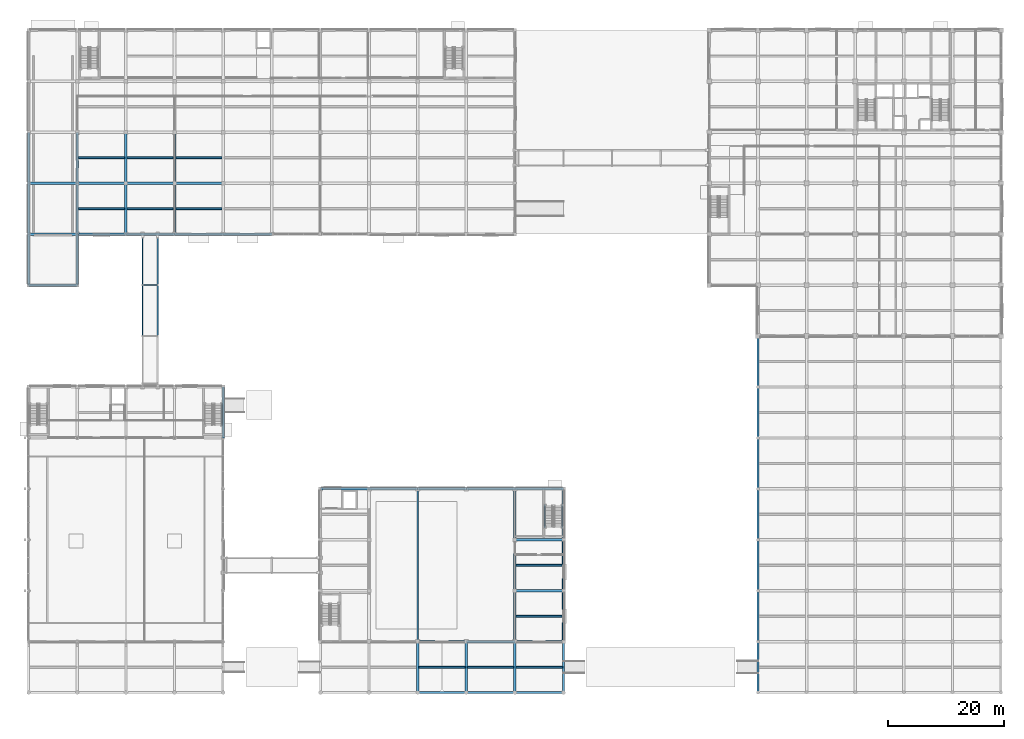
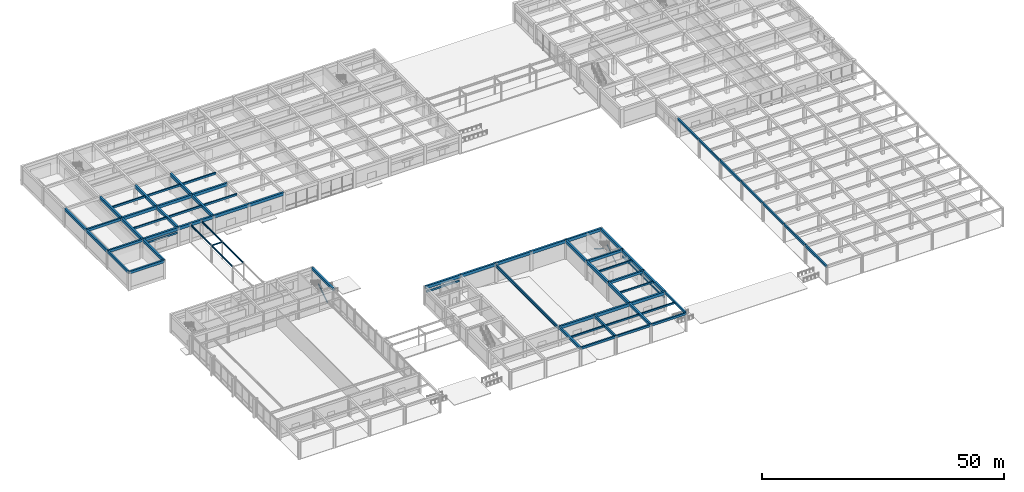
# One storey, part 15 of 58: 72 beams, 3 members.
"""IFC4 building model written with IfcOpenShell, lengths in metres."""

import ifcopenshell
import ifcopenshell.guid

model = None  # the IFC model being written
_history = None  # IfcOwnerHistory: only IFC2X3 demands one
_inside = {}  # id of a spatial element -> (the spatial element, [elements in it])
_under = {}  # id of a project, library or spatial element -> (it, [spatial elements below it])
_declared = {}  # id of a project -> (the project, [libraries it declares])
_typed = {}  # id of a type object -> (the type object, [elements of that type])
_made_of = {}  # id of a material, layer set ... -> (it, [elements and type objects made of it])


def new_model(schema):
    """Start an empty IFC model of exactly this schema.

    Asked for "IFC4X3", IfcOpenShell would pick the latest addendum, in which some entities
    have other attributes; the version numbers below select the first issue.
    IFC2X3 requires an IfcOwnerHistory on every rooted entity: one is made here for all.
    """
    global model, _history
    if schema == "IFC4X3":
        model = ifcopenshell.file(schema_version=(4, 3, 0, 0))
    else:
        model = ifcopenshell.file(schema=schema)
    _inside.clear()
    _under.clear()
    _declared.clear()
    _typed.clear()
    _made_of.clear()
    _history = None
    if model.schema == "IFC2X3":
        org = make("IfcOrganization", Name="unknown")
        user = make(
            "IfcPersonAndOrganization",
            ThePerson=make("IfcPerson", FamilyName="unknown"),
            TheOrganization=org,
        )
        app = make(
            "IfcApplication",
            ApplicationDeveloper=org,
            Version="unknown",
            ApplicationFullName="unknown",
            ApplicationIdentifier="unknown",
        )
        _history = make(
            "IfcOwnerHistory",
            OwningUser=user,
            OwningApplication=app,
            ChangeAction="ADDED",
            CreationDate=0,
        )
    return model


def make(cls, **values):
    """One entity of the class cls with the attributes given. An attribute that is None is left unset."""
    return model.create_entity(
        cls, **{name: value for name, value in values.items() if value is not None}
    )


def rooted(cls, **values):
    """An entity with a GlobalId (a new one), such as an element, a storey or a relation."""
    return make(cls, GlobalId=ifcopenshell.guid.new(), OwnerHistory=_history, **values)


def si_unit(unit_type, name, prefix=None):
    """IfcSIUnit, for example si_unit("LENGTHUNIT", "METRE", prefix="MILLI")."""
    return make("IfcSIUnit", UnitType=unit_type, Prefix=prefix, Name=name)


def assignment(units):
    """IfcUnitAssignment: the units of a project."""
    return None if units is None else make("IfcUnitAssignment", Units=units)


def point(xyz):
    """IfcCartesianPoint."""
    return None if xyz is None else make("IfcCartesianPoint", Coordinates=xyz)


def direction(xyz):
    """IfcDirection."""
    return None if xyz is None else make("IfcDirection", DirectionRatios=xyz)


def frame(location, z_axis=None, x_axis=None):
    """IfcAxis2Placement3D, a coordinate frame: its origin and axes. An axis left out is left unset."""
    return make(
        "IfcAxis2Placement3D",
        Location=point(location),
        Axis=direction(z_axis),
        RefDirection=direction(x_axis),
    )


def frame_2d(location, x_axis=None):
    """IfcAxis2Placement2D, a coordinate frame in the plane: its origin and x axis."""
    return make(
        "IfcAxis2Placement2D", Location=point(location), RefDirection=direction(x_axis)
    )


def origin():
    """The frame at (0, 0, 0) with its axes left unset."""
    return frame((0.0, 0.0, 0.0))


def origin_2d():
    """The frame at (0, 0) in the plane with its x axis left unset."""
    return frame_2d((0.0, 0.0))


def place(relative_to, where):
    """IfcLocalPlacement: puts the frame where relative to a parent placement (None: the world)."""
    return make(
        "IfcLocalPlacement", PlacementRelTo=relative_to, RelativePlacement=where
    )


def context(
    kind, dimensions, precision=None, world=None, true_north=None, identifier=None
):
    """IfcGeometricRepresentationContext, for example the 3D "Model" context."""
    return make(
        "IfcGeometricRepresentationContext",
        ContextIdentifier=identifier,
        ContextType=kind,
        CoordinateSpaceDimension=dimensions,
        Precision=precision,
        WorldCoordinateSystem=world,
        TrueNorth=true_north,
    )


def subcontext(parent, identifier, kind, view, scale=None):
    """IfcGeometricRepresentationSubContext, for example "Body" below "Model"."""
    return make(
        "IfcGeometricRepresentationSubContext",
        ContextIdentifier=identifier,
        ContextType=kind,
        ParentContext=parent,
        TargetScale=scale,
        TargetView=view,
    )


def project(units=None, contexts=None):
    """IfcProject with its units and contexts."""
    return rooted(
        "IfcProject",
        Name="project",
        RepresentationContexts=contexts,
        UnitsInContext=assignment(units),
    )


def spatial(cls, under=None, at=None, **own):
    """A site, building, storey or space (cls), placed at a placement, below another one or the project."""
    s = rooted(cls, ObjectPlacement=at, **own)
    if under is not None:
        _under.setdefault(under.id(), (under, []))[1].append(s)
    return s


def profile(cls, at=None, kind="AREA", **sizes):
    """A parametric profile (cls). Its sizes go by their IFC names, for example OverallWidth=200.0."""
    return make(cls, ProfileType=kind, Position=at, **sizes)


def rectangle(**sizes):
    """IfcRectangleProfileDef."""
    return profile("IfcRectangleProfileDef", **sizes)


def hollow_rectangle(**sizes):
    """IfcRectangleHollowProfileDef."""
    return profile("IfcRectangleHollowProfileDef", **sizes)


def i_section(**sizes):
    """IfcIShapeProfileDef."""
    return profile("IfcIShapeProfileDef", **sizes)


def extrude(swept, where, along, depth):
    """IfcExtrudedAreaSolid: the profile swept, set in the frame where, extruded along a direction by depth."""
    return make(
        "IfcExtrudedAreaSolid",
        SweptArea=swept,
        Position=where,
        ExtrudedDirection=direction(along),
        Depth=depth,
    )


def shape(context_of_items, identifier, shape_type, items):
    """IfcShapeRepresentation: the items that make up one representation, for example the "Body"."""
    return make(
        "IfcShapeRepresentation",
        ContextOfItems=context_of_items,
        RepresentationIdentifier=identifier,
        RepresentationType=shape_type,
        Items=items,
    )


def material(Name=None, Category=None):
    """IfcMaterial."""
    return make("IfcMaterial", Name=Name, Category=Category)


def material_profile(
    of_material, cross_section, Name=None, Category=None, Priority=None
):
    """IfcMaterialProfile: a cross section and its material."""
    return make(
        "IfcMaterialProfile",
        Name=Name,
        Material=of_material,
        Profile=cross_section,
        Priority=Priority,
        Category=Category,
    )


def profile_set(profiles, Name=None, composite=None):
    """IfcMaterialProfileSet."""
    return make(
        "IfcMaterialProfileSet",
        Name=Name,
        MaterialProfiles=profiles,
        CompositeProfile=composite,
    )


def made_of(thing, what):
    """Note that an element or type object is made of a material, layer set ...; save() writes the relation."""
    if what is not None:
        _made_of.setdefault(what.id(), (what, []))[1].append(thing)
    return thing


def type_object(cls, material=None, **own):
    """A type object (cls), such as IfcWallType, which elements share."""
    return made_of(rooted(cls, **own), material)


def element(
    cls,
    number,
    at=None,
    inside=None,
    cuts=None,
    type_object=None,
    material=None,
    context=None,
    identifier="Body",
    shape_type=None,
    held_by="IfcProductDefinitionShape",
    body=None,
    shapes=None,
    **own,
):
    """One element of the class cls, such as IfcWall. Its Tag is "e" and its number.

    at: its placement. inside: the storey or other place that contains it. cuts: it is an
    opening in that element (IfcRelVoidsElement). A single representation is given by context,
    identifier, shape_type and body (its items); several are given by shapes. held_by: the class
    of the entity that holds the representations. save() writes the other relations.
    """
    e = rooted(cls, Tag="e%d" % number, ObjectPlacement=at, **own)
    if body is not None:
        shapes = [shape(context, identifier, shape_type, body)]
    if shapes is not None:
        e.Representation = make(held_by, Representations=shapes)
    if inside is not None:
        _inside.setdefault(inside.id(), (inside, []))[1].append(e)
    if cuts is not None:
        rooted(
            "IfcRelVoidsElement", RelatingBuildingElement=cuts, RelatedOpeningElement=e
        )
    if type_object is not None:
        _typed.setdefault(type_object.id(), (type_object, []))[1].append(e)
    return made_of(e, material)


def aggregate(whole, parts):
    """IfcRelAggregates: a whole, such as a stair, and the parts it consists of."""
    return rooted("IfcRelAggregates", RelatingObject=whole, RelatedObjects=parts)


def save(model, path):
    """Write the relations noted so far, then the file.

    IfcRelAggregates (storeys below a building ...), IfcRelContainedInSpatialStructure (elements
    in a storey), IfcRelDefinesByType, IfcRelAssociatesMaterial and IfcRelDeclares: one each for
    every whole, place, type object, material and project.
    """
    for whole, parts in _under.values():
        aggregate(whole, parts)
    for where, things in _inside.values():
        rooted(
            "IfcRelContainedInSpatialStructure",
            RelatedElements=things,
            RelatingStructure=where,
        )
    for kind, things in _typed.values():
        rooted("IfcRelDefinesByType", RelatedObjects=things, RelatingType=kind)
    for what, things in _made_of.values():
        rooted("IfcRelAssociatesMaterial", RelatedObjects=things, RelatingMaterial=what)
    for by, libraries in _declared.values():
        rooted("IfcRelDeclares", RelatingContext=by, RelatedDefinitions=libraries)
    model.write(path)


model = new_model("IFC4")

# Units and contexts
model_context = context("Model", 3, precision=1e-05, world=origin(), true_north=direction((0.0, 1.0)))
body_context = subcontext(model_context, "Body", "Model", "MODEL_VIEW")
ifc_project = project(units=[si_unit("LENGTHUNIT", "METRE"), si_unit("AREAUNIT", "SQUARE_METRE"), si_unit("VOLUMEUNIT", "CUBIC_METRE"), si_unit("PLANEANGLEUNIT", "RADIAN"), si_unit("MASSUNIT", "GRAM", prefix="KILO")], contexts=[model_context])

# Site, building, storey
site_placement = place(None, origin())
site = spatial("IfcSite", under=ifc_project, at=site_placement, CompositionType="ELEMENT")
building_placement = place(site_placement, origin())
building = spatial("IfcBuilding", under=site, at=building_placement, Name="Kemercrest Conservatory and Botanical Centre", CompositionType="ELEMENT")
storey_placement = place(building_placement, origin())
storey = spatial("IfcBuildingStorey", under=building, at=storey_placement, Name="L00", CompositionType="ELEMENT", Elevation=0.0)

# Beams
ifc_material_1 = material(Name="Steel CSA G40.21 350W", Category="steel")
ifc_material_profile_1 = material_profile(ifc_material_1, i_section(OverallWidth=0.180908203125, OverallDepth=0.4169921875, WebThickness=0.010986328125, FlangeThickness=0.018310546875, FilletRadius=0.01611328125, at=origin_2d()), Name="W410X85")
ifc_profile_set_1 = profile_set([ifc_material_profile_1], Name="Steel CSA G40.21 350W")
beam_type_1 = type_object("IfcBeamType", Name="BM-LB410", PredefinedType="BEAM", material=ifc_profile_set_1)
for number, where, z_axis, x_axis, name in (
    (1, (27.699951171875, 69.60009765625, 4.37158203125), (0.0, 1.0, 0.0), (-1.0, 0.0, 0.0), "Link bridge girder LB-01 SJ-2"),
    (2, (30.300048828125, 69.60009765625, 4.37158203125), (0.0, 1.0, 0.0), (-1.0, 0.0, 0.0), "Link bridge girder LB-01 SJ-2"),
):
    element("IfcBeam", number, at=place(storey_placement, frame(where, z_axis=z_axis, x_axis=x_axis)), inside=storey, type_object=beam_type_1, Name=name, PredefinedType="BEAM", context=body_context, shape_type="SweptSolid", body=[
        extrude(i_section(OverallWidth=0.180908203125, OverallDepth=0.4169921875, WebThickness=0.010986328125, FlangeThickness=0.018310546875, FilletRadius=0.01611328125, at=origin_2d()), origin(), (0.0, 0.0, 1.0), 8.7998046875),
    ])
for number, where, z_axis, x_axis, name in (
    (3, (27.699951171875, 78.39990234375, 4.37158203125), (0.0, 1.0, 0.0), (-1.0, 0.0, 0.0), "Link bridge girder LB-01 SJ-2"),
    (4, (30.300048828125, 78.39990234375, 4.37158203125), (0.0, 1.0, 0.0), (-1.0, 0.0, 0.0), "Link bridge girder LB-01 SJ-2"),
):
    element("IfcBeam", number, at=place(storey_placement, frame(where, z_axis=z_axis, x_axis=x_axis)), inside=storey, type_object=beam_type_1, Name=name, PredefinedType="BEAM", context=body_context, shape_type="SweptSolid", body=[
        extrude(i_section(OverallWidth=0.180908203125, OverallDepth=0.4169921875, WebThickness=0.010986328125, FlangeThickness=0.018310546875, FilletRadius=0.01611328125, at=origin_2d()), origin(), (0.0, 0.0, 1.0), 8.650146484375),
    ])
ifc_material_2 = material(Name="Concrete C40/50", Category="concrete")
ifc_material_profile_2 = material_profile(ifc_material_2, rectangle(XDim=0.39990234375, YDim=0.64990234375, at=origin_2d()), Name="RC 400x650")
ifc_profile_set_2 = profile_set([ifc_material_profile_2], Name="Concrete C40/50")
beam_type_2 = type_object("IfcBeamType", Name="BM-RC65", PredefinedType="BEAM", material=ifc_profile_set_2)
for number, where, z_axis, x_axis, name in (
    (5, (92.0, 25.60009765625, 4.47509765625), (1.0, 0.0, 0.0), (0.0, 1.0, 0.0), "V2E-L01 beam BM-RC65 C/11-12"),
    (6, (92.0, 34.39990234375, 4.47509765625), (1.0, 0.0, 0.0), (0.0, 1.0, 0.0), "V2E-L01 beam BM-RC65 D/11-12"),
):
    element("IfcBeam", number, at=place(storey_placement, frame(where, z_axis=z_axis, x_axis=x_axis)), inside=storey, type_object=beam_type_2, Name=name, PredefinedType="BEAM", context=body_context, shape_type="SweptSolid", body=[
        extrude(rectangle(XDim=0.39990234375, YDim=0.64990234375, at=origin_2d()), origin(), (0.0, 0.0, 1.0), 8.39990234375),
    ])
for number, where, z_axis, x_axis, name in (
    (7, (75.199951171875, 8.0, 4.47509765625), (0.0, 1.0, 0.0), (-1.0, 0.0, 0.0), "V2COL beam BM-RC65 09/A-B"),
    (8, (83.60009765625, 8.0, 4.47509765625), (0.0, 1.0, 0.0), (-1.0, 0.0, 0.0), "V2COL beam BM-RC65 10/A-B"),
    (9, (92.0, 8.0, 4.47509765625), (0.0, 1.0, 0.0), (-1.0, 0.0, 0.0), "V2COL beam BM-RC65 11/A-B"),
):
    element("IfcBeam", number, at=place(storey_placement, frame(where, z_axis=z_axis, x_axis=x_axis)), inside=storey, type_object=beam_type_2, Name=name, PredefinedType="BEAM", context=body_context, shape_type="SweptSolid", body=[
        extrude(rectangle(XDim=0.39990234375, YDim=0.64990234375, at=origin_2d()), origin(), (0.0, 0.0, 1.0), 8.800048828125),
    ])
for number, where, z_axis, x_axis, name in (
    (10, (8.0, 87.199951171875, 4.47509765625), (1.0, 0.0, 0.0), (0.0, 1.0, 0.0), "V3RAMP beam BM-RC65 K/01-02"),
    (11, (8.0, 96.0, 4.47509765625), (1.0, 0.0, 0.0), (0.0, 1.0, 0.0), "V3RAMP beam BM-RC65 L/01-02"),
):
    element("IfcBeam", number, at=place(storey_placement, frame(where, z_axis=z_axis, x_axis=x_axis)), inside=storey, type_object=beam_type_2, Name=name, PredefinedType="BEAM", context=body_context, shape_type="SweptSolid", body=[
        extrude(rectangle(XDim=0.39990234375, YDim=0.64990234375, at=origin_2d()), origin(), (0.0, 0.0, 1.0), 8.39990234375),
    ])
ifc_material_profile_3 = material_profile(ifc_material_2, rectangle(XDim=0.449951171875, YDim=0.75, at=origin_2d()), Name="RC 450x750")
ifc_profile_set_3 = profile_set([ifc_material_profile_3], Name="Concrete C40/50")
beam_type_3 = type_object("IfcBeamType", Name="BM-RC75", PredefinedType="BEAM", material=ifc_profile_set_3)
beam_1_placement = place(storey_placement, frame((16.39990234375, 96.0, 4.425048828125), z_axis=(1.0, 0.0, 0.0), x_axis=(0.0, 1.0, 0.0)))
element("IfcBeam", 12, at=beam_1_placement, inside=storey, type_object=beam_type_3, Name="V3-L01 beam BM-RC75 L/02-03", PredefinedType="BEAM", context=body_context, shape_type="SweptSolid", body=[
    extrude(rectangle(XDim=0.449951171875, YDim=0.75, at=origin_2d()), origin(), (0.0, 0.0, 1.0), 8.400146484375),
])
beam_2_placement = place(storey_placement, frame((24.800048828125, 96.0, 4.425048828125), z_axis=(1.0, 0.0, 0.0), x_axis=(0.0, 1.0, 0.0)))
element("IfcBeam", 13, at=beam_2_placement, inside=storey, type_object=beam_type_3, Name="V3-L01 beam BM-RC75 L/03-04", PredefinedType="BEAM", context=body_context, shape_type="SweptSolid", body=[
    extrude(rectangle(XDim=0.449951171875, YDim=0.75, at=origin_2d()), origin(), (0.0, 0.0, 1.0), 8.39990234375),
])
beam_3_placement = place(storey_placement, frame((33.199951171875, 96.0, 4.425048828125), z_axis=(1.0, 0.0, 0.0), x_axis=(0.0, 1.0, 0.0)))
element("IfcBeam", 14, at=beam_3_placement, inside=storey, type_object=beam_type_3, Name="V3-L01 beam BM-RC75 L/04-05", PredefinedType="BEAM", context=body_context, shape_type="SweptSolid", body=[
    extrude(rectangle(XDim=0.449951171875, YDim=0.75, at=origin_2d()), origin(), (0.0, 0.0, 1.0), 8.400146484375),
])
for number, where, z_axis, x_axis, name in (
    (15, (24.800048828125, 87.199951171875, 4.425048828125), (0.0, 1.0, 0.0), (-1.0, 0.0, 0.0), "V3-L01 beam BM-RC75 03/K-L"),
    (16, (24.800048828125, 96.0, 4.425048828125), (0.0, 1.0, 0.0), (-1.0, 0.0, 0.0), "V3-L01 beam BM-RC75 03/L-M"),
    (17, (33.199951171875, 87.199951171875, 4.425048828125), (0.0, 1.0, 0.0), (-1.0, 0.0, 0.0), "V3-L01 beam BM-RC75 04/K-L"),
    (18, (33.199951171875, 96.0, 4.425048828125), (0.0, 1.0, 0.0), (-1.0, 0.0, 0.0), "V3-L01 beam BM-RC75 04/L-M"),
):
    element("IfcBeam", number, at=place(storey_placement, frame(where, z_axis=z_axis, x_axis=x_axis)), inside=storey, type_object=beam_type_3, Name=name, PredefinedType="BEAM", context=body_context, shape_type="SweptSolid", body=[
        extrude(rectangle(XDim=0.449951171875, YDim=0.75, at=origin_2d()), origin(), (0.0, 0.0, 1.0), 8.800048828125),
    ])
ifc_material_profile_4 = material_profile(ifc_material_1, i_section(OverallWidth=0.26806640625, OverallDepth=0.77001953125, WebThickness=0.015625, FlangeThickness=0.025390625, FilletRadius=0.02392578125, at=origin_2d()), Name="W760X196")
ifc_profile_set_4 = profile_set([ifc_material_profile_4], Name="Steel CSA G40.21 350W")
beam_type_4 = type_object("IfcBeamType", Name="BM-W760", PredefinedType="BEAM", material=ifc_profile_set_4)
beam_4_placement = place(storey_placement, frame((75.199951171875, 16.800048828125, 4.135009765625), z_axis=(0.0, 1.0, 0.0), x_axis=(-1.0, 0.0, 0.0)))
element("IfcBeam", 19, at=beam_4_placement, inside=storey, type_object=beam_type_4, Name="Auditorium balcony 26.4m clear-span girder", PredefinedType="BEAM", context=body_context, shape_type="SweptSolid", body=[
    extrude(i_section(OverallWidth=0.26806640625, OverallDepth=0.77001953125, WebThickness=0.015625, FlangeThickness=0.025390625, FilletRadius=0.02392578125, at=origin_2d()), origin(), (0.0, 0.0, 1.0), 26.39990234375),
])
ifc_material_profile_5 = material_profile(ifc_material_2, rectangle(XDim=0.300048828125, YDim=0.419921875, at=origin_2d()), Name="RC 300x420")
ifc_profile_set_5 = profile_set([ifc_material_profile_5], Name="Concrete C40/50")
beam_type_5 = type_object("IfcBeamType", Name="JS-RC42", PredefinedType="JOIST", material=ifc_profile_set_5)
for number, where, z_axis, x_axis, name in (
    (20, (92.22509765625, 21.199951171875, 4.590087890625), (1.0, 0.0, 0.0), (0.0, 1.0, 0.0), "V2E-L01 secondary joist JS-RC42"),
    (21, (92.22509765625, 30.0, 4.590087890625), (1.0, 0.0, 0.0), (0.0, 1.0, 0.0), "V2E-L01 secondary joist JS-RC42"),
):
    element("IfcBeam", number, at=place(storey_placement, frame(where, z_axis=z_axis, x_axis=x_axis)), inside=storey, type_object=beam_type_5, Name=name, PredefinedType="JOIST", context=body_context, shape_type="SweptSolid", body=[
        extrude(rectangle(XDim=0.300048828125, YDim=0.419921875, at=origin_2d()), origin(), (0.0, 0.0, 1.0), 7.949951171875),
    ])
for number, where, z_axis, x_axis, name in (
    (22, (75.39990234375, 12.39990234375, 4.590087890625), (1.0, 0.0, 0.0), (0.0, 1.0, 0.0), "V2COL secondary joist JS-RC42"),
    (23, (83.800048828125, 12.39990234375, 4.590087890625), (1.0, 0.0, 0.0), (0.0, 1.0, 0.0), "V2COL secondary joist JS-RC42"),
):
    element("IfcBeam", number, at=place(storey_placement, frame(where, z_axis=z_axis, x_axis=x_axis)), inside=storey, type_object=beam_type_5, Name=name, PredefinedType="JOIST", context=body_context, shape_type="SweptSolid", body=[
        extrude(rectangle(XDim=0.300048828125, YDim=0.419921875, at=origin_2d()), origin(), (0.0, 0.0, 1.0), 8.0),
    ])
beam_5_placement = place(storey_placement, frame((92.199951171875, 12.39990234375, 4.590087890625), z_axis=(1.0, 0.0, 0.0), x_axis=(0.0, 1.0, 0.0)))
element("IfcBeam", 24, at=beam_5_placement, inside=storey, type_object=beam_type_5, Name="V2COL secondary joist JS-RC42", PredefinedType="JOIST", context=body_context, shape_type="SweptSolid", body=[
    extrude(rectangle(XDim=0.300048828125, YDim=0.419921875, at=origin_2d()), origin(), (0.0, 0.0, 1.0), 8.025146484375),
])
ifc_material_profile_6 = material_profile(ifc_material_2, rectangle(XDim=0.300048828125, YDim=0.5, at=origin_2d()), Name="RC 300x500")
ifc_profile_set_6 = profile_set([ifc_material_profile_6], Name="Concrete C40/50")
beam_type_6 = type_object("IfcBeamType", Name="JS-RC50", PredefinedType="JOIST", material=ifc_profile_set_6)
beam_6_placement = place(storey_placement, frame((16.625, 91.60009765625, 4.550048828125), z_axis=(1.0, 0.0, 0.0), x_axis=(0.0, 1.0, 0.0)))
element("IfcBeam", 25, at=beam_6_placement, inside=storey, type_object=beam_type_6, Name="V3-L01 secondary joist JS-RC50", PredefinedType="JOIST", context=body_context, shape_type="SweptSolid", body=[
    extrude(rectangle(XDim=0.300048828125, YDim=0.5, at=origin_2d()), origin(), (0.0, 0.0, 1.0), 7.949951171875),
])
beam_7_placement = place(storey_placement, frame((25.02490234375, 91.60009765625, 4.550048828125), z_axis=(1.0, 0.0, 0.0), x_axis=(0.0, 1.0, 0.0)))
element("IfcBeam", 26, at=beam_7_placement, inside=storey, type_object=beam_type_6, Name="V3-L01 secondary joist JS-RC50", PredefinedType="JOIST", context=body_context, shape_type="SweptSolid", body=[
    extrude(rectangle(XDim=0.300048828125, YDim=0.5, at=origin_2d()), origin(), (0.0, 0.0, 1.0), 7.9501953125),
])
for number, where, z_axis, x_axis, name in (
    (27, (33.425048828125, 91.60009765625, 4.550048828125), (1.0, 0.0, 0.0), (0.0, 1.0, 0.0), "V3-L01 secondary joist JS-RC50"),
    (28, (16.625, 100.39990234375, 4.550048828125), (1.0, 0.0, 0.0), (0.0, 1.0, 0.0), "V3-L01 secondary joist JS-RC50"),
):
    element("IfcBeam", number, at=place(storey_placement, frame(where, z_axis=z_axis, x_axis=x_axis)), inside=storey, type_object=beam_type_6, Name=name, PredefinedType="JOIST", context=body_context, shape_type="SweptSolid", body=[
        extrude(rectangle(XDim=0.300048828125, YDim=0.5, at=origin_2d()), origin(), (0.0, 0.0, 1.0), 7.949951171875),
    ])
beam_8_placement = place(storey_placement, frame((25.02490234375, 100.39990234375, 4.550048828125), z_axis=(1.0, 0.0, 0.0), x_axis=(0.0, 1.0, 0.0)))
element("IfcBeam", 29, at=beam_8_placement, inside=storey, type_object=beam_type_6, Name="V3-L01 secondary joist JS-RC50", PredefinedType="JOIST", context=body_context, shape_type="SweptSolid", body=[
    extrude(rectangle(XDim=0.300048828125, YDim=0.5, at=origin_2d()), origin(), (0.0, 0.0, 1.0), 7.9501953125),
])
beam_9_placement = place(storey_placement, frame((33.425048828125, 100.39990234375, 4.550048828125), z_axis=(1.0, 0.0, 0.0), x_axis=(0.0, 1.0, 0.0)))
element("IfcBeam", 30, at=beam_9_placement, inside=storey, type_object=beam_type_6, Name="V3-L01 secondary joist JS-RC50", PredefinedType="JOIST", context=body_context, shape_type="SweptSolid", body=[
    extrude(rectangle(XDim=0.300048828125, YDim=0.5, at=origin_2d()), origin(), (0.0, 0.0, 1.0), 7.949951171875),
])
ifc_material_profile_7 = material_profile(ifc_material_1, i_section(OverallWidth=0.202880859375, OverallDepth=0.251953125, WebThickness=0.008056640625, FlangeThickness=0.013427734375, FilletRadius=0.010986328125, at=origin_2d()), Name="W250X58")
ifc_profile_set_7 = profile_set([ifc_material_profile_7], Name="Steel CSA G40.21 350W")
beam_type_7 = type_object("IfcBeamType", Name="JS-W250", PredefinedType="JOIST", material=ifc_profile_set_7)
beam_10_placement = place(storey_placement, frame((27.79052734375, 78.39990234375, 4.37158203125), z_axis=(1.0, 0.0, 0.0), x_axis=(0.0, 1.0, 0.0)))
element("IfcBeam", 31, at=beam_10_placement, inside=storey, type_object=beam_type_7, Name="Link bridge cross beam SJ-2", PredefinedType="JOIST", context=body_context, shape_type="SweptSolid", body=[
    extrude(i_section(OverallWidth=0.202880859375, OverallDepth=0.251953125, WebThickness=0.008056640625, FlangeThickness=0.013427734375, FilletRadius=0.010986328125, at=origin_2d()), origin(), (0.0, 0.0, 1.0), 2.4189453125),
])
ifc_material_3 = material(Name="Precast concrete C40/50", Category="concrete")
ifc_material_profile_8 = material_profile(ifc_material_3, rectangle(XDim=0.35009765625, YDim=0.449951171875, at=origin_2d()), Name="RC 350x450")
ifc_profile_set_8 = profile_set([ifc_material_profile_8], Name="Precast concrete C40/50")
beam_type_8 = type_object("IfcBeamType", Name="LN-RC45", PredefinedType="LINTEL", material=ifc_profile_set_8)
beam_11_placement = place(storey_placement, frame((100.39990234375, 17.050048828125, 3.0849609375), z_axis=(0.0, 1.0, 0.0), x_axis=(-1.0, 0.0, 0.0)))
element("IfcBeam", 32, at=beam_11_placement, inside=storey, type_object=beam_type_8, Name="Precast arched window lintel (WIN:L00:EXT-026)", PredefinedType="LINTEL", context=body_context, shape_type="SweptSolid", body=[
    extrude(rectangle(XDim=0.35009765625, YDim=0.449951171875, at=origin_2d()), origin(), (0.0, 0.0, 1.0), 8.300048828125),
])
beam_12_placement = place(storey_placement, frame((100.39990234375, 25.85009765625, 3.10498046875), z_axis=(0.0, 1.0, 0.0), x_axis=(-1.0, 0.0, 0.0)))
element("IfcBeam", 33, at=beam_12_placement, inside=storey, type_object=beam_type_8, Name="Precast arched window lintel (WIN:L00:EXT-027)", PredefinedType="LINTEL", context=body_context, shape_type="SweptSolid", body=[
    extrude(rectangle(XDim=0.35009765625, YDim=0.449951171875, at=origin_2d()), origin(), (0.0, 0.0, 1.0), 8.2998046875),
])
beam_13_placement = place(storey_placement, frame((66.5, 43.199951171875, 3.324951171875), z_axis=(-1.0, 0.0, 0.0), x_axis=(0.0, -1.0, 0.0)))
element("IfcBeam", 34, at=beam_13_placement, inside=storey, type_object=beam_type_8, Name="Precast arched window lintel (WIN:L00:EXT-033)", PredefinedType="LINTEL", context=body_context, shape_type="SweptSolid", body=[
    extrude(rectangle(XDim=0.35009765625, YDim=0.449951171875, at=origin_2d()), origin(), (0.0, 0.0, 1.0), 7.85009765625),
])
beam_14_placement = place(storey_placement, frame((16.64990234375, 87.199951171875, 3.47509765625), z_axis=(1.0, 0.0, 0.0), x_axis=(0.0, 1.0, 0.0)))
element("IfcBeam", 35, at=beam_14_placement, inside=storey, type_object=beam_type_8, Name="Precast arched window lintel (WIN:L00:EXT-071)", PredefinedType="LINTEL", context=body_context, shape_type="SweptSolid", body=[
    extrude(rectangle(XDim=0.35009765625, YDim=0.449951171875, at=origin_2d()), origin(), (0.0, 0.0, 1.0), 7.900146484375),
])
ifc_material_profile_9 = material_profile(ifc_material_3, rectangle(XDim=0.35009765625, YDim=0.550048828125, at=origin_2d()), Name="RC 350x550")
ifc_profile_set_9 = profile_set([ifc_material_profile_9], Name="Precast concrete C40/50")
beam_type_9 = type_object("IfcBeamType", Name="SP-ARC65", PredefinedType="SPANDREL", material=ifc_profile_set_9)
beam_15_placement = place(storey_placement, frame((75.199951171875, 8.0, 4.52490234375), z_axis=(1.0, 0.0, 0.0), x_axis=(0.0, 1.0, 0.0)))
element("IfcBeam", 36, at=beam_15_placement, inside=storey, type_object=beam_type_9, Name="V2COL beam SP-ARC65 A/09-10", PredefinedType="SPANDREL", context=body_context, shape_type="SweptSolid", body=[
    extrude(rectangle(XDim=0.35009765625, YDim=0.550048828125, at=origin_2d()), origin(), (0.0, 0.0, 1.0), 8.400146484375),
])
for number, where, z_axis, x_axis, name in (
    (37, (83.60009765625, 8.0, 4.52490234375), (1.0, 0.0, 0.0), (0.0, 1.0, 0.0), "V2COL beam SP-ARC65 A/10-11"),
    (38, (92.0, 8.0, 4.52490234375), (1.0, 0.0, 0.0), (0.0, 1.0, 0.0), "V2COL beam SP-ARC65 A/11-12"),
):
    element("IfcBeam", number, at=place(storey_placement, frame(where, z_axis=z_axis, x_axis=x_axis)), inside=storey, type_object=beam_type_9, Name=name, PredefinedType="SPANDREL", context=body_context, shape_type="SweptSolid", body=[
        extrude(rectangle(XDim=0.35009765625, YDim=0.550048828125, at=origin_2d()), origin(), (0.0, 0.0, 1.0), 8.39990234375),
    ])
for number, where, z_axis, x_axis, name in (
    (39, (100.39990234375, 8.0, 4.52490234375), (0.0, 1.0, 0.0), (-1.0, 0.0, 0.0), "V2COL beam SP-ARC65 12/A-B"),
    (40, (134.0, 8.0, 4.52490234375), (0.0, 1.0, 0.0), (-1.0, 0.0, 0.0), "V4SECOL beam SP-ARC65 16/A-B"),
    (41, (134.0, 16.800048828125, 4.52490234375), (0.0, 1.0, 0.0), (-1.0, 0.0, 0.0), "V4SECOL beam SP-ARC65 16/B-C"),
):
    element("IfcBeam", number, at=place(storey_placement, frame(where, z_axis=z_axis, x_axis=x_axis)), inside=storey, type_object=beam_type_9, Name=name, PredefinedType="SPANDREL", context=body_context, shape_type="SweptSolid", body=[
        extrude(rectangle(XDim=0.35009765625, YDim=0.550048828125, at=origin_2d()), origin(), (0.0, 0.0, 1.0), 8.800048828125),
    ])
beam_16_placement = place(storey_placement, frame((134.0, 25.60009765625, 4.52490234375), z_axis=(0.0, 1.0, 0.0), x_axis=(-1.0, 0.0, 0.0)))
element("IfcBeam", 42, at=beam_16_placement, inside=storey, type_object=beam_type_9, Name="V4SECOL beam SP-ARC65 16/C-D", PredefinedType="SPANDREL", context=body_context, shape_type="SweptSolid", body=[
    extrude(rectangle(XDim=0.35009765625, YDim=0.550048828125, at=origin_2d()), origin(), (0.0, 0.0, 1.0), 8.7998046875),
])
for number, where, z_axis, x_axis, name in (
    (43, (134.0, 34.39990234375, 4.52490234375), (0.0, 1.0, 0.0), (-1.0, 0.0, 0.0), "V4SECOL beam SP-ARC65 16/D-E"),
    (44, (134.0, 43.199951171875, 4.52490234375), (0.0, 1.0, 0.0), (-1.0, 0.0, 0.0), "V4SECOL beam SP-ARC65 16/E-F"),
    (45, (134.0, 52.0, 4.52490234375), (0.0, 1.0, 0.0), (-1.0, 0.0, 0.0), "V4SECOL beam SP-ARC65 16/F-G"),
    (46, (134.0, 60.800048828125, 4.52490234375), (0.0, 1.0, 0.0), (-1.0, 0.0, 0.0), "V4SECOL beam SP-ARC65 16/G-H"),
):
    element("IfcBeam", number, at=place(storey_placement, frame(where, z_axis=z_axis, x_axis=x_axis)), inside=storey, type_object=beam_type_9, Name=name, PredefinedType="SPANDREL", context=body_context, shape_type="SweptSolid", body=[
        extrude(rectangle(XDim=0.35009765625, YDim=0.550048828125, at=origin_2d()), origin(), (0.0, 0.0, 1.0), 8.800048828125),
    ])
ifc_material_profile_10 = material_profile(ifc_material_2, rectangle(XDim=0.39990234375, YDim=0.64990234375, at=origin_2d()), Name="RC 400x650")
ifc_profile_set_10 = profile_set([ifc_material_profile_10], Name="Concrete C40/50")
beam_type_10 = type_object("IfcBeamType", Name="SP-RC65", PredefinedType="SPANDREL", material=ifc_profile_set_10)
beam_17_placement = place(storey_placement, frame((41.60009765625, 52.0, 4.47509765625), z_axis=(0.0, 1.0, 0.0), x_axis=(-1.0, 0.0, 0.0)))
element("IfcBeam", 47, at=beam_17_placement, inside=storey, type_object=beam_type_10, Name="V1BAR-L01 beam SP-RC65 05/F-G", PredefinedType="SPANDREL", context=body_context, shape_type="SweptSolid", body=[
    extrude(rectangle(XDim=0.39990234375, YDim=0.64990234375, at=origin_2d()), origin(), (0.0, 0.0, 1.0), 8.800048828125),
])
beam_18_placement = place(storey_placement, frame((8.0, 78.39990234375, 4.47509765625), z_axis=(1.0, 0.0, 0.0), x_axis=(0.0, 1.0, 0.0)))
element("IfcBeam", 48, at=beam_18_placement, inside=storey, type_object=beam_type_10, Name="V3RAMP beam SP-RC65 J/01-02", PredefinedType="SPANDREL", context=body_context, shape_type="SweptSolid", body=[
    extrude(rectangle(XDim=0.39990234375, YDim=0.64990234375, at=origin_2d()), origin(), (0.0, 0.0, 1.0), 8.39990234375),
])
for number, where, z_axis, x_axis, name in (
    (49, (8.0, 78.39990234375, 4.47509765625), (0.0, 1.0, 0.0), (-1.0, 0.0, 0.0), "V3RAMP beam SP-RC65 01/J-K"),
    (50, (8.0, 87.199951171875, 4.47509765625), (0.0, 1.0, 0.0), (-1.0, 0.0, 0.0), "V3RAMP beam SP-RC65 01/K-L"),
    (51, (8.0, 96.0, 4.47509765625), (0.0, 1.0, 0.0), (-1.0, 0.0, 0.0), "V3RAMP beam SP-RC65 01/L-M"),
    (52, (16.39990234375, 78.39990234375, 4.47509765625), (0.0, 1.0, 0.0), (-1.0, 0.0, 0.0), "V3RAMP beam SP-RC65 02/J-K"),
):
    element("IfcBeam", number, at=place(storey_placement, frame(where, z_axis=z_axis, x_axis=x_axis)), inside=storey, type_object=beam_type_10, Name=name, PredefinedType="SPANDREL", context=body_context, shape_type="SweptSolid", body=[
        extrude(rectangle(XDim=0.39990234375, YDim=0.64990234375, at=origin_2d()), origin(), (0.0, 0.0, 1.0), 8.800048828125),
    ])
ifc_material_profile_11 = material_profile(ifc_material_2, rectangle(XDim=0.449951171875, YDim=0.75, at=origin_2d()), Name="RC 450x750")
ifc_profile_set_11 = profile_set([ifc_material_profile_11], Name="Concrete C40/50")
beam_type_11 = type_object("IfcBeamType", Name="SP-RC75", PredefinedType="SPANDREL", material=ifc_profile_set_11)
beam_19_placement = place(storey_placement, frame((58.39990234375, 43.199951171875, 4.425048828125), z_axis=(1.0, 0.0, 0.0), x_axis=(0.0, 1.0, 0.0)))
element("IfcBeam", 53, at=beam_19_placement, inside=storey, type_object=beam_type_11, Name="V2W-L01 beam SP-RC75 E/07-08", PredefinedType="SPANDREL", context=body_context, shape_type="SweptSolid", body=[
    extrude(rectangle(XDim=0.449951171875, YDim=0.75, at=origin_2d()), origin(), (0.0, 0.0, 1.0), 8.400146484375),
])
for number, where, z_axis, x_axis, name in (
    (54, (92.0, 16.800048828125, 4.425048828125), (1.0, 0.0, 0.0), (0.0, 1.0, 0.0), "V2E-L01 beam SP-RC75 B/11-12"),
    (55, (92.0, 43.199951171875, 4.425048828125), (1.0, 0.0, 0.0), (0.0, 1.0, 0.0), "V2E-L01 beam SP-RC75 E/11-12"),
):
    element("IfcBeam", number, at=place(storey_placement, frame(where, z_axis=z_axis, x_axis=x_axis)), inside=storey, type_object=beam_type_11, Name=name, PredefinedType="SPANDREL", context=body_context, shape_type="SweptSolid", body=[
        extrude(rectangle(XDim=0.449951171875, YDim=0.75, at=origin_2d()), origin(), (0.0, 0.0, 1.0), 8.39990234375),
    ])
beam_20_placement = place(storey_placement, frame((92.0, 16.800048828125, 4.425048828125), z_axis=(0.0, 1.0, 0.0), x_axis=(-1.0, 0.0, 0.0)))
element("IfcBeam", 56, at=beam_20_placement, inside=storey, type_object=beam_type_11, Name="V2E-L01 beam SP-RC75 11/B-C", PredefinedType="SPANDREL", context=body_context, shape_type="SweptSolid", body=[
    extrude(rectangle(XDim=0.449951171875, YDim=0.75, at=origin_2d()), origin(), (0.0, 0.0, 1.0), 8.800048828125),
])
beam_21_placement = place(storey_placement, frame((92.0, 25.60009765625, 4.425048828125), z_axis=(0.0, 1.0, 0.0), x_axis=(-1.0, 0.0, 0.0)))
element("IfcBeam", 57, at=beam_21_placement, inside=storey, type_object=beam_type_11, Name="V2E-L01 beam SP-RC75 11/C-D", PredefinedType="SPANDREL", context=body_context, shape_type="SweptSolid", body=[
    extrude(rectangle(XDim=0.449951171875, YDim=0.75, at=origin_2d()), origin(), (0.0, 0.0, 1.0), 8.7998046875),
])
for number, where, z_axis, x_axis, name in (
    (58, (92.0, 34.39990234375, 4.425048828125), (0.0, 1.0, 0.0), (-1.0, 0.0, 0.0), "V2E-L01 beam SP-RC75 11/D-E"),
    (59, (100.39990234375, 16.800048828125, 4.425048828125), (0.0, 1.0, 0.0), (-1.0, 0.0, 0.0), "V2E-L01 beam SP-RC75 12/B-C"),
):
    element("IfcBeam", number, at=place(storey_placement, frame(where, z_axis=z_axis, x_axis=x_axis)), inside=storey, type_object=beam_type_11, Name=name, PredefinedType="SPANDREL", context=body_context, shape_type="SweptSolid", body=[
        extrude(rectangle(XDim=0.449951171875, YDim=0.75, at=origin_2d()), origin(), (0.0, 0.0, 1.0), 8.800048828125),
    ])
beam_22_placement = place(storey_placement, frame((100.39990234375, 25.60009765625, 4.425048828125), z_axis=(0.0, 1.0, 0.0), x_axis=(-1.0, 0.0, 0.0)))
element("IfcBeam", 60, at=beam_22_placement, inside=storey, type_object=beam_type_11, Name="V2E-L01 beam SP-RC75 12/C-D", PredefinedType="SPANDREL", context=body_context, shape_type="SweptSolid", body=[
    extrude(rectangle(XDim=0.449951171875, YDim=0.75, at=origin_2d()), origin(), (0.0, 0.0, 1.0), 8.7998046875),
])
beam_23_placement = place(storey_placement, frame((100.39990234375, 34.39990234375, 4.425048828125), z_axis=(0.0, 1.0, 0.0), x_axis=(-1.0, 0.0, 0.0)))
element("IfcBeam", 61, at=beam_23_placement, inside=storey, type_object=beam_type_11, Name="V2E-L01 beam SP-RC75 12/D-E", PredefinedType="SPANDREL", context=body_context, shape_type="SweptSolid", body=[
    extrude(rectangle(XDim=0.449951171875, YDim=0.75, at=origin_2d()), origin(), (0.0, 0.0, 1.0), 8.800048828125),
])
beam_24_placement = place(storey_placement, frame((75.199951171875, 16.800048828125, 4.425048828125), z_axis=(1.0, 0.0, 0.0), x_axis=(0.0, 1.0, 0.0)))
element("IfcBeam", 62, at=beam_24_placement, inside=storey, type_object=beam_type_11, Name="Auditorium perimeter spandrel beam", PredefinedType="SPANDREL", context=body_context, shape_type="SweptSolid", body=[
    extrude(rectangle(XDim=0.449951171875, YDim=0.75, at=origin_2d()), origin(), (0.0, 0.0, 1.0), 8.400146484375),
])
for number, where, z_axis, x_axis, name in (
    (63, (83.60009765625, 16.800048828125, 4.425048828125), (1.0, 0.0, 0.0), (0.0, 1.0, 0.0), "Auditorium perimeter spandrel beam"),
    (64, (66.800048828125, 43.199951171875, 4.425048828125), (1.0, 0.0, 0.0), (0.0, 1.0, 0.0), "Auditorium perimeter spandrel beam"),
):
    element("IfcBeam", number, at=place(storey_placement, frame(where, z_axis=z_axis, x_axis=x_axis)), inside=storey, type_object=beam_type_11, Name=name, PredefinedType="SPANDREL", context=body_context, shape_type="SweptSolid", body=[
        extrude(rectangle(XDim=0.449951171875, YDim=0.75, at=origin_2d()), origin(), (0.0, 0.0, 1.0), 8.39990234375),
    ])
beam_25_placement = place(storey_placement, frame((75.199951171875, 43.199951171875, 4.425048828125), z_axis=(1.0, 0.0, 0.0), x_axis=(0.0, 1.0, 0.0)))
element("IfcBeam", 65, at=beam_25_placement, inside=storey, type_object=beam_type_11, Name="Auditorium perimeter spandrel beam", PredefinedType="SPANDREL", context=body_context, shape_type="SweptSolid", body=[
    extrude(rectangle(XDim=0.449951171875, YDim=0.75, at=origin_2d()), origin(), (0.0, 0.0, 1.0), 8.400146484375),
])
beam_26_placement = place(storey_placement, frame((83.60009765625, 43.199951171875, 4.425048828125), z_axis=(1.0, 0.0, 0.0), x_axis=(0.0, 1.0, 0.0)))
element("IfcBeam", 66, at=beam_26_placement, inside=storey, type_object=beam_type_11, Name="Auditorium perimeter spandrel beam", PredefinedType="SPANDREL", context=body_context, shape_type="SweptSolid", body=[
    extrude(rectangle(XDim=0.449951171875, YDim=0.75, at=origin_2d()), origin(), (0.0, 0.0, 1.0), 8.39990234375),
])
beam_27_placement = place(storey_placement, frame((16.39990234375, 87.199951171875, 4.425048828125), z_axis=(1.0, 0.0, 0.0), x_axis=(0.0, 1.0, 0.0)))
element("IfcBeam", 67, at=beam_27_placement, inside=storey, type_object=beam_type_11, Name="V3-L01 beam SP-RC75 K/02-03", PredefinedType="SPANDREL", context=body_context, shape_type="SweptSolid", body=[
    extrude(rectangle(XDim=0.449951171875, YDim=0.75, at=origin_2d()), origin(), (0.0, 0.0, 1.0), 8.400146484375),
])
beam_28_placement = place(storey_placement, frame((24.800048828125, 87.199951171875, 4.425048828125), z_axis=(1.0, 0.0, 0.0), x_axis=(0.0, 1.0, 0.0)))
element("IfcBeam", 68, at=beam_28_placement, inside=storey, type_object=beam_type_11, Name="V3-L01 beam SP-RC75 K/03-04", PredefinedType="SPANDREL", context=body_context, shape_type="SweptSolid", body=[
    extrude(rectangle(XDim=0.449951171875, YDim=0.75, at=origin_2d()), origin(), (0.0, 0.0, 1.0), 8.39990234375),
])
beam_29_placement = place(storey_placement, frame((33.199951171875, 87.199951171875, 4.425048828125), z_axis=(1.0, 0.0, 0.0), x_axis=(0.0, 1.0, 0.0)))
element("IfcBeam", 69, at=beam_29_placement, inside=storey, type_object=beam_type_11, Name="V3-L01 beam SP-RC75 K/04-05", PredefinedType="SPANDREL", context=body_context, shape_type="SweptSolid", body=[
    extrude(rectangle(XDim=0.449951171875, YDim=0.75, at=origin_2d()), origin(), (0.0, 0.0, 1.0), 8.400146484375),
])
beam_30_placement = place(storey_placement, frame((41.60009765625, 87.199951171875, 4.425048828125), z_axis=(1.0, 0.0, 0.0), x_axis=(0.0, 1.0, 0.0)))
element("IfcBeam", 70, at=beam_30_placement, inside=storey, type_object=beam_type_11, Name="V3-L01 beam SP-RC75 K/05-06", PredefinedType="SPANDREL", context=body_context, shape_type="SweptSolid", body=[
    extrude(rectangle(XDim=0.449951171875, YDim=0.75, at=origin_2d()), origin(), (0.0, 0.0, 1.0), 8.39990234375),
])
for number, where, z_axis, x_axis, name in (
    (71, (16.39990234375, 87.199951171875, 4.425048828125), (0.0, 1.0, 0.0), (-1.0, 0.0, 0.0), "V3-L01 beam SP-RC75 02/K-L"),
    (72, (16.39990234375, 96.0, 4.425048828125), (0.0, 1.0, 0.0), (-1.0, 0.0, 0.0), "V3-L01 beam SP-RC75 02/L-M"),
):
    element("IfcBeam", number, at=place(storey_placement, frame(where, z_axis=z_axis, x_axis=x_axis)), inside=storey, type_object=beam_type_11, Name=name, PredefinedType="SPANDREL", context=body_context, shape_type="SweptSolid", body=[
        extrude(rectangle(XDim=0.449951171875, YDim=0.75, at=origin_2d()), origin(), (0.0, 0.0, 1.0), 8.800048828125),
    ])

# Members
ifc_material_profile_12 = material_profile(ifc_material_1, hollow_rectangle(XDim=0.15234375, YDim=0.25390625, WallThickness=0.009521484375, InnerFilletRadius=0.009521484375, OuterFilletRadius=0.01904296875, at=origin_2d()), Name="HSS 254x152x9.5")
ifc_profile_set_12 = profile_set([ifc_material_profile_12], Name="Steel CSA G40.21 350W")
member_type_1 = type_object("IfcMemberType", Name="SR-STR254", PredefinedType="STRINGER", material=ifc_profile_set_12)
for number, where, z_axis, x_axis, name in (
    (73, (100.2099609375, 36.56005859375, -0.10009765625), (0.0, 0.84748707537, 0.530816029411), (-1.0, 0.0, 0.0), "Stair ST-V2B steel stringer #17"),
    (74, (97.18994140625, 36.56005859375, 4.679931640625), (0.0, 0.847511569253, -0.53077692111), (-1.0, 0.0, 0.0), "Stair ST-V2B steel stringer #18"),
):
    element("IfcMember", number, at=place(storey_placement, frame(where, z_axis=z_axis, x_axis=x_axis)), inside=storey, type_object=member_type_1, Name=name, PredefinedType="STRINGER", context=body_context, shape_type="SweptSolid", body=[
        extrude(hollow_rectangle(XDim=0.15234375, YDim=0.25390625, WallThickness=0.009521484375, InnerFilletRadius=0.009521484375, OuterFilletRadius=0.01904296875, at=origin_2d()), origin(), (0.0, 0.0, 1.0), 4.48388671875),
    ])
ifc_material_profile_13 = material_profile(ifc_material_1, hollow_rectangle(XDim=0.203125, YDim=0.3046875, WallThickness=0.0126953125, InnerFilletRadius=0.0126953125, OuterFilletRadius=0.02490234375, at=origin_2d()), Name="HSS 305x203x12.7")
ifc_profile_set_13 = profile_set([ifc_material_profile_13], Name="Steel CSA G40.21 350W")
member_type_2 = type_object("IfcMemberType", Name="SR-STR305", PredefinedType="STRINGER", material=ifc_profile_set_13)
member_placement = place(storey_placement, frame((41.409912109375, 54.159912109375, -0.10009765625), z_axis=(0.0, 0.84748707537, 0.530816029411), x_axis=(-1.0, 0.0, 0.0)))
element("IfcMember", 75, at=member_placement, inside=storey, type_object=member_type_2, Name="Stair ST-V1B steel stringer #7", PredefinedType="STRINGER", context=body_context, shape_type="SweptSolid", body=[
    extrude(hollow_rectangle(XDim=0.203125, YDim=0.3046875, WallThickness=0.0126953125, InnerFilletRadius=0.0126953125, OuterFilletRadius=0.02490234375, at=origin_2d()), origin(), (0.0, 0.0, 1.0), 4.48388671875),
])

save(model, "model.ifc")
